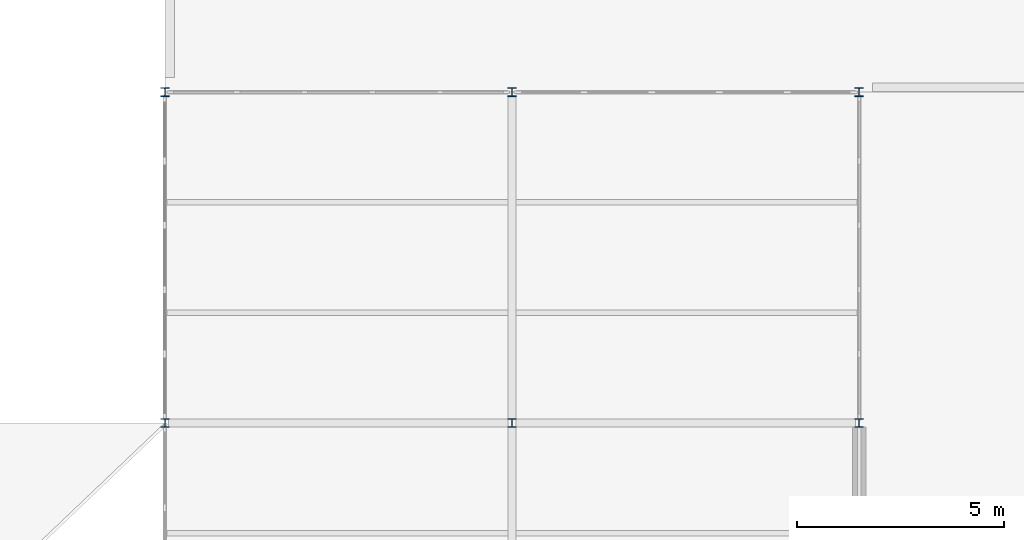
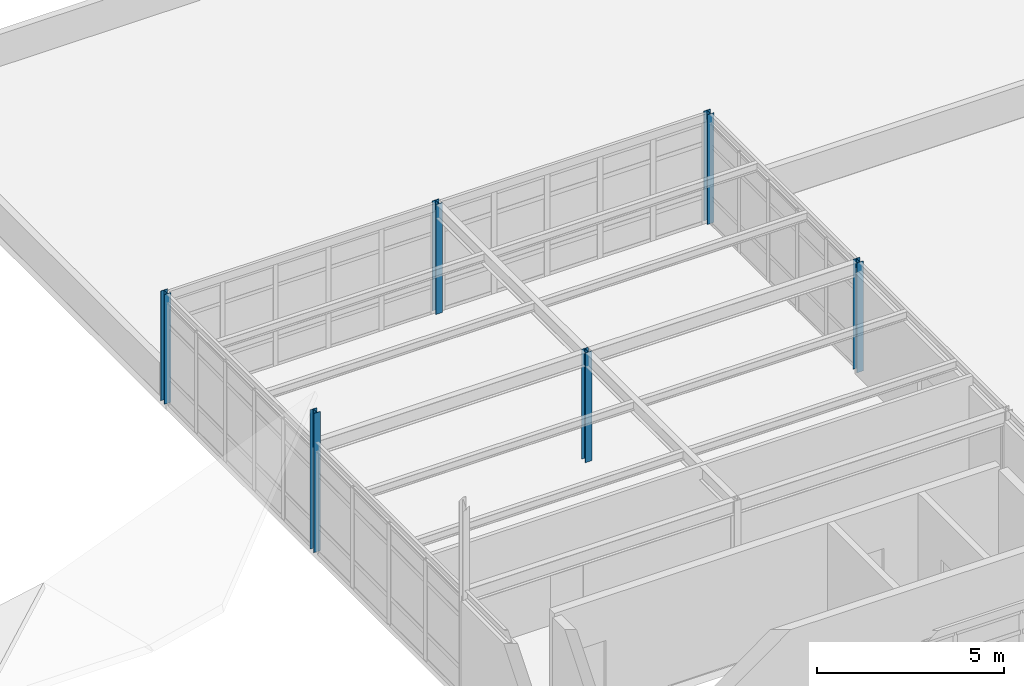
# One storey, part 8 of 32: 6 columns.
"""IFC4 building model written with IfcOpenShell, lengths in metres."""

from ifc_helpers import new_model, si_unit, direction, frame, origin, origin_2d, place, context, subcontext, project, spatial, i_section, extrude, material, material_profile, profile_set, type_object, element, save


model = new_model("IFC4")

# Units and contexts
model_context = context("Model", 3, precision=1e-05, world=origin(), true_north=direction((0.0, 1.0)))
body_context = subcontext(model_context, "Body", "Model", "MODEL_VIEW")
ifc_project = project(units=[si_unit("LENGTHUNIT", "METRE"), si_unit("AREAUNIT", "SQUARE_METRE"), si_unit("VOLUMEUNIT", "CUBIC_METRE"), si_unit("PLANEANGLEUNIT", "RADIAN"), si_unit("MASSUNIT", "GRAM", prefix="KILO")], contexts=[model_context])

# Site, building, storey
site_placement = place(None, origin())
site = spatial("IfcSite", under=ifc_project, at=site_placement, CompositionType="ELEMENT")
building_placement = place(site_placement, origin())
building = spatial("IfcBuilding", under=site, at=building_placement, Name="Kranzveld Transit Interchange", CompositionType="ELEMENT")
storey_placement = place(building_placement, frame((0.0, 0.0, 17.199951171875)))
storey = spatial("IfcBuildingStorey", under=building, at=storey_placement, Name="L04", CompositionType="ELEMENT", Elevation=17.199951171875)

# Columns
ifc_material = material(Name="Steel S355JR", Category="steel")
ifc_material_profile = material_profile(ifc_material, i_section(OverallWidth=0.205810546875, OverallDepth=0.209716796875, WebThickness=0.009521484375, FlangeThickness=0.01416015625, FilletRadius=0.01025390625, at=origin_2d()), Name="UC 203x203x60")
ifc_profile_set = profile_set([ifc_material_profile], Name="Steel S355JR")
column_type = type_object("IfcColumnType", Name="Column Steel UC 203x203x60 S355JR", PredefinedType="COLUMN", material=ifc_profile_set)
column_placement = place(storey_placement, frame((100.800048828125, 88.0, 0.0), z_axis=(0.0, 0.0, 1.0), x_axis=(1.0, 0.0, 0.0)))
element("IfcColumn", 1, at=column_placement, inside=storey, type_object=column_type, Name="L04 Column 13/M", PredefinedType="COLUMN", context=body_context, shape_type="SweptSolid", body=[
    extrude(i_section(OverallWidth=0.205810546875, OverallDepth=0.209716796875, WebThickness=0.009521484375, FlangeThickness=0.01416015625, FilletRadius=0.01025390625, at=origin_2d()), origin(), (0.0, 0.0, 1.0), 4.550048828125),
])
for number, where, z_axis, x_axis, name in (
    (2, (100.800048828125, 96.0, 0.0), (0.0, 0.0, 1.0), (1.0, 0.0, 0.0), "L04 Column 13/N"),
    (3, (109.199951171875, 88.0, 0.0), (0.0, 0.0, 1.0), (1.0, 0.0, 0.0), "L04 Column 14/M"),
    (4, (109.199951171875, 96.0, 0.0), (0.0, 0.0, 1.0), (1.0, 0.0, 0.0), "L04 Column 14/N"),
    (5, (117.60009765625, 88.0, 0.0), (0.0, 0.0, 1.0), (1.0, 0.0, 0.0), "L04 Column 15/M"),
    (6, (117.60009765625, 96.0, 0.0), (0.0, 0.0, 1.0), (1.0, 0.0, 0.0), "L04 Column 15/N"),
):
    element("IfcColumn", number, at=place(storey_placement, frame(where, z_axis=z_axis, x_axis=x_axis)), inside=storey, type_object=column_type, Name=name, PredefinedType="COLUMN", context=body_context, shape_type="SweptSolid", body=[
        extrude(i_section(OverallWidth=0.205810546875, OverallDepth=0.209716796875, WebThickness=0.009521484375, FlangeThickness=0.01416015625, FilletRadius=0.01025390625, at=origin_2d()), origin(), (0.0, 0.0, 1.0), 3.590087890625),
    ])

save(model, "model.ifc")
